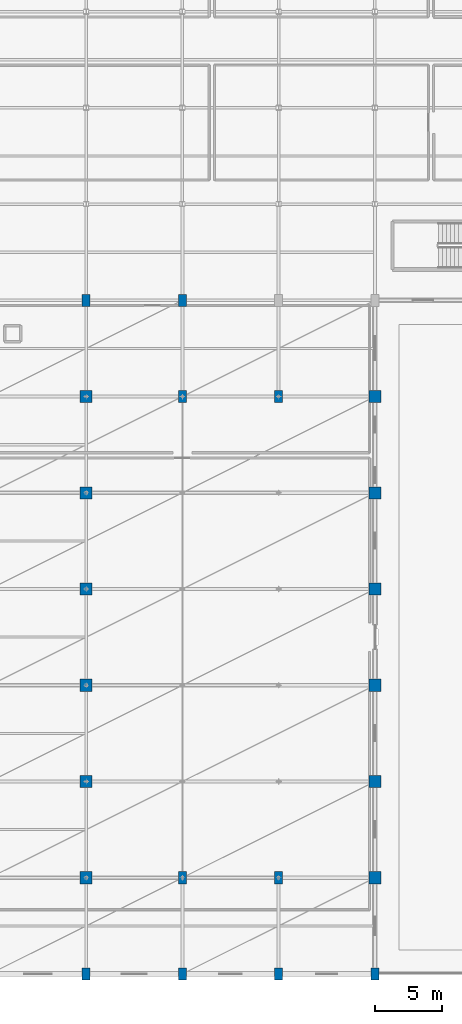
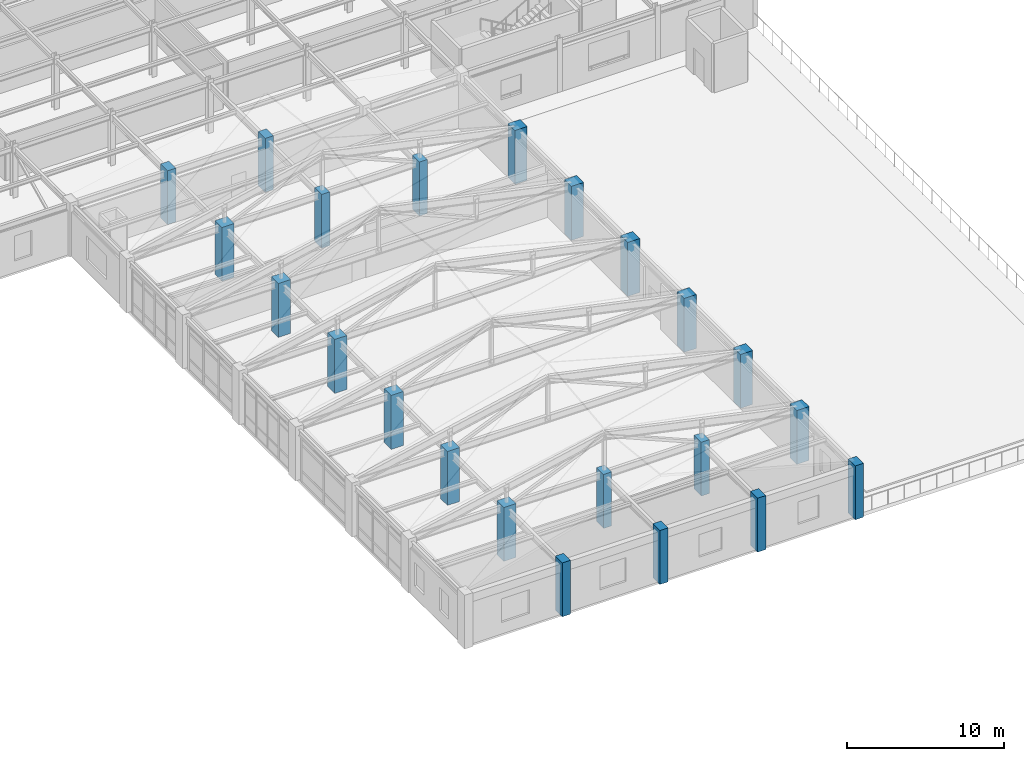
# One storey, part 13 of 113: 22 columns.
"""IFC4 building model written with IfcOpenShell, lengths in metres."""

from ifc_helpers import new_model, si_unit, direction, frame, origin, origin_2d, place, context, subcontext, project, spatial, rectangle, extrude, material, material_profile, profile_set, type_object, element, save


model = new_model("IFC4")

# Units and contexts
model_context = context("Model", 3, precision=1e-05, world=origin(), true_north=direction((0.0, 1.0)))
body_context = subcontext(model_context, "Body", "Model", "MODEL_VIEW")
ifc_project = project(units=[si_unit("LENGTHUNIT", "METRE"), si_unit("AREAUNIT", "SQUARE_METRE"), si_unit("VOLUMEUNIT", "CUBIC_METRE"), si_unit("PLANEANGLEUNIT", "RADIAN"), si_unit("MASSUNIT", "GRAM", prefix="KILO")], contexts=[model_context])

# Site, building, storey
site_placement = place(None, origin())
site = spatial("IfcSite", under=ifc_project, at=site_placement, CompositionType="ELEMENT")
building_placement = place(site_placement, origin())
building = spatial("IfcBuilding", under=site, at=building_placement, Name="Carrowvane Square Congress Hotel", CompositionType="ELEMENT")
storey_placement = place(building_placement, frame((0.0, 0.0, 15.0)))
storey = spatial("IfcBuildingStorey", under=building, at=storey_placement, Name="L03", CompositionType="ELEMENT", Elevation=15.0)

# Columns
ifc_material_1 = material(Name="Concrete C40/50", Category="concrete")
ifc_material_profile_1 = material_profile(ifc_material_1, rectangle(XDim=0.60009765625, YDim=0.89990234375, at=origin_2d()), Name="RC 600x900")
ifc_profile_set_1 = profile_set([ifc_material_profile_1], Name="Concrete C40/50")
column_type_1 = type_object("IfcColumnType", Name="COL-RC-600x900", PredefinedType="COLUMN", material=ifc_profile_set_1)
for number, where, z_axis, x_axis, name in (
    (1, (141.199951171875, 5.39990234375, 0.0), (0.0, 0.0, 1.0), (1.0, 0.0, 0.0), "L03 column 19/A"),
    (2, (141.199951171875, 55.800048828125, 0.0), (0.0, 0.0, 1.0), (1.0, 0.0, 0.0), "L03 column 19/H"),
    (3, (148.39990234375, 5.39990234375, 0.0), (0.0, 0.0, 1.0), (1.0, 0.0, 0.0), "L03 column 20/A"),
    (4, (148.39990234375, 12.60009765625, 0.0), (0.0, 0.0, 1.0), (1.0, 0.0, 0.0), "L03 column 20/B"),
    (5, (148.39990234375, 48.60009765625, 0.0), (0.0, 0.0, 1.0), (1.0, 0.0, 0.0), "L03 column 20/G"),
    (6, (148.39990234375, 55.800048828125, 0.0), (0.0, 0.0, 1.0), (1.0, 0.0, 0.0), "L03 column 20/H"),
    (7, (155.60009765625, 5.39990234375, 0.0), (0.0, 0.0, 1.0), (1.0, 0.0, 0.0), "L03 column 21/A"),
    (8, (155.60009765625, 12.60009765625, 0.0), (0.0, 0.0, 1.0), (1.0, 0.0, 0.0), "L03 column 21/B"),
    (9, (155.60009765625, 48.60009765625, 0.0), (0.0, 0.0, 1.0), (1.0, 0.0, 0.0), "L03 column 21/G"),
    (10, (162.800048828125, 5.39990234375, 0.0), (0.0, 0.0, 1.0), (1.0, 0.0, 0.0), "L03 column 22/A"),
):
    element("IfcColumn", number, at=place(storey_placement, frame(where, z_axis=z_axis, x_axis=x_axis)), inside=storey, type_object=column_type_1, Name=name, PredefinedType="COLUMN", context=body_context, shape_type="SweptSolid", body=[
        extrude(rectangle(XDim=0.60009765625, YDim=0.89990234375, at=origin_2d()), origin(), (0.0, 0.0, 1.0), 4.199951171875),
    ])
ifc_material_2 = material(Name="Concrete C40/50", Category="concrete")
ifc_material_profile_2 = material_profile(ifc_material_2, rectangle(XDim=0.89990234375, YDim=0.89990234375, at=origin_2d()), Name="RC 900x900")
ifc_profile_set_2 = profile_set([ifc_material_profile_2], Name="Concrete C40/50")
column_type_2 = type_object("IfcColumnType", Name="MCOL-RC-900", PredefinedType="COLUMN", material=ifc_profile_set_2)
for number, where, z_axis, x_axis, name in (
    (11, (141.199951171875, 12.60009765625, 0.0), (0.0, 0.0, 1.0), (1.0, 0.0, 0.0), "L03 column 19/B"),
    (12, (141.199951171875, 19.800048828125, 0.0), (0.0, 0.0, 1.0), (1.0, 0.0, 0.0), "L03 column 19/C"),
    (13, (141.199951171875, 27.0, 0.0), (0.0, 0.0, 1.0), (1.0, 0.0, 0.0), "L03 column 19/D"),
    (14, (141.199951171875, 34.199951171875, 0.0), (0.0, 0.0, 1.0), (1.0, 0.0, 0.0), "L03 column 19/E"),
    (15, (141.199951171875, 41.39990234375, 0.0), (0.0, 0.0, 1.0), (1.0, 0.0, 0.0), "L03 column 19/F"),
    (16, (141.199951171875, 48.60009765625, 0.0), (0.0, 0.0, 1.0), (1.0, 0.0, 0.0), "L03 column 19/G"),
    (17, (162.800048828125, 12.60009765625, 0.0), (0.0, 0.0, 1.0), (1.0, 0.0, 0.0), "L03 column 22/B"),
    (18, (162.800048828125, 19.800048828125, 0.0), (0.0, 0.0, 1.0), (1.0, 0.0, 0.0), "L03 column 22/C"),
    (19, (162.800048828125, 27.0, 0.0), (0.0, 0.0, 1.0), (1.0, 0.0, 0.0), "L03 column 22/D"),
    (20, (162.800048828125, 34.199951171875, 0.0), (0.0, 0.0, 1.0), (1.0, 0.0, 0.0), "L03 column 22/E"),
    (21, (162.800048828125, 41.39990234375, 0.0), (0.0, 0.0, 1.0), (1.0, 0.0, 0.0), "L03 column 22/F"),
    (22, (162.800048828125, 48.60009765625, 0.0), (0.0, 0.0, 1.0), (1.0, 0.0, 0.0), "L03 column 22/G"),
):
    element("IfcColumn", number, at=place(storey_placement, frame(where, z_axis=z_axis, x_axis=x_axis)), inside=storey, type_object=column_type_2, Name=name, PredefinedType="COLUMN", context=body_context, shape_type="SweptSolid", body=[
        extrude(rectangle(XDim=0.89990234375, YDim=0.89990234375, at=origin_2d()), origin(), (0.0, 0.0, 1.0), 4.199951171875),
    ])

save(model, "model.ifc")
